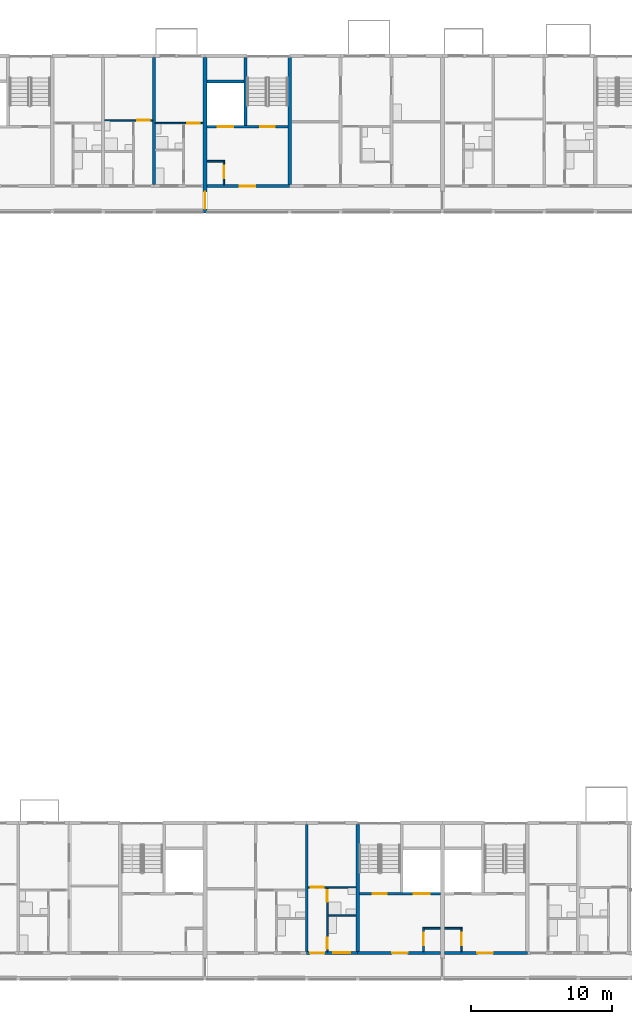
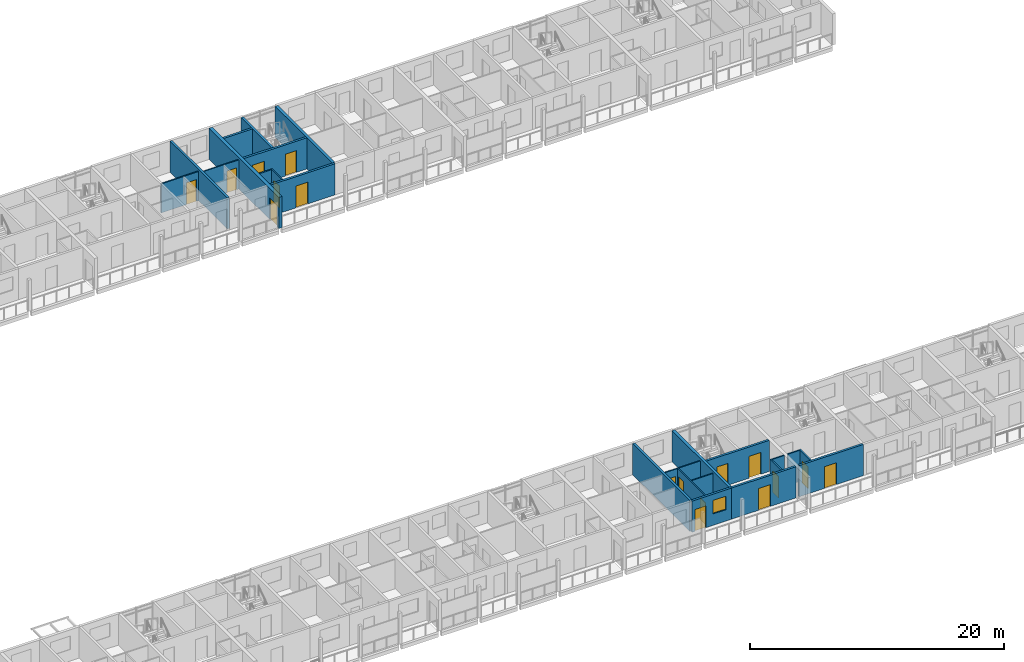
# One storey, part 52 of 93: 24 walls, 17 doors, 1 window, 18 openings.
"""IFC4 building model written with IfcOpenShell, lengths in metres."""

from ifc_helpers import new_model, si_unit, direction, frame, frame_2d, origin, place, context, subcontext, project, spatial, rectangle, extrude, material, layer, layer_set, type_object, element, fill, save


model = new_model("IFC4")

# Units and contexts
model_context = context("Model", 3, precision=1e-05, world=origin(), true_north=direction((0.0, 1.0)))
body_context = subcontext(model_context, "Body", "Model", "MODEL_VIEW")
ifc_project = project(units=[si_unit("LENGTHUNIT", "METRE"), si_unit("AREAUNIT", "SQUARE_METRE"), si_unit("VOLUMEUNIT", "CUBIC_METRE"), si_unit("PLANEANGLEUNIT", "RADIAN"), si_unit("MASSUNIT", "GRAM", prefix="KILO")], contexts=[model_context])

# Site, building, storey
site_placement = place(None, origin())
site = spatial("IfcSite", under=ifc_project, at=site_placement, CompositionType="ELEMENT")
building_placement = place(site_placement, origin())
building = spatial("IfcBuilding", under=site, at=building_placement, Name="Ridgestep Commons", CompositionType="ELEMENT")
storey_placement = place(building_placement, frame((0.0, 0.0, 18.0)))
storey = spatial("IfcBuildingStorey", under=building, at=storey_placement, Name="L06", CompositionType="ELEMENT", Elevation=18.0)

# Walls
ifc_material_1 = material(Name="Concrete C30/37", Category="concrete")
ifc_layer_1 = layer(ifc_material_1, 0.25)
ifc_layer_set_1 = layer_set([ifc_layer_1], Name="Core cross wall 250")
wall_type_1 = type_object("IfcWallType", Name="Core cross wall 250", PredefinedType="SHEAR", material=ifc_layer_set_1)
for number, where, z_axis, x_axis, name in (
    (1, (203.199951171875, 68.0, 0.0), (0.0, 0.0, 1.0), (0.0, 1.0, 0.0), "Cross wall C-06-2032"),
    (2, (208.0, 13.75, 0.0), (0.0, 0.0, 1.0), (0.0, 1.0, 0.0), "Cross wall D-06-2080"),
):
    element("IfcWall", number, at=place(storey_placement, frame(where, z_axis=z_axis, x_axis=x_axis)), inside=storey, type_object=wall_type_1, Name=name, PredefinedType="SHEAR", context=body_context, shape_type="SweptSolid", body=[
        extrude(rectangle(XDim=9.0, YDim=0.25, at=frame_2d((4.5, 0.0))), origin(), (0.0, 0.0, 1.0), 3.0),
    ])

# Wall, opening, door
ifc_material_2 = material(Name="Concrete C30/37", Category="concrete")
ifc_layer_2 = layer(ifc_material_2, 0.199951171875)
ifc_layer_set_2 = layer_set([ifc_layer_2], Name="Core south wall 200")
wall_type_2 = type_object("IfcWallType", Name="Core south wall 200", PredefinedType="SHEAR", material=ifc_layer_set_2)
wall_1_placement = place(storey_placement, frame((197.35009765625, 67.89990234375, 0.0), z_axis=(0.0, 0.0, 1.0), x_axis=(1.0, 0.0, 0.0)))
wall_1 = element("IfcWall", 3, at=wall_1_placement, inside=storey, type_object=wall_type_2, Name="Core south wall C4C L06", PredefinedType="SHEAR", context=body_context, shape_type="SweptSolid", body=[
    extrude(rectangle(XDim=5.849853515625, YDim=0.199951171875, at=frame_2d((2.9248046875, 0.0))), origin(), (0.0, 0.0, 1.0), 3.0),
])
opening_1_placement = place(wall_1_placement, frame((2.3125, 0.0, 0.0)))
opening_1 = element("IfcOpeningElement", 4, at=opening_1_placement, cuts=wall_1, Name="Opening C4C/06/1", PredefinedType="OPENING", context=body_context, shape_type="SweptSolid", body=[
    extrude(rectangle(XDim=1.10009765625, YDim=2.10009765625, at=frame_2d((0.550048828125, 1.050048828125))), frame((0.0, 0.10986328125, 0.0), z_axis=(0.0, -1.0, 0.0), x_axis=(1.0, 0.0, 0.0)), (0.0, 0.0, 1.0), 0.219970703125),
])
ifc_material_3 = material(Name="Steel fire door", Category="steel")
door_type_1 = type_object("IfcDoorType", Name="Lobby door 1100 x 2100 FD60", OperationType="NOTDEFINED", PredefinedType="DOOR", material=ifc_material_3)
door_1_placement = place(opening_1_placement, origin())
door_1 = element("IfcDoor", 5, at=door_1_placement, inside=storey, type_object=door_type_1, Name="Lobby door C4C/06/1", OperationType="SINGLE_SWING_LEFT", OverallHeight=2.10009765625, OverallWidth=1.10009765625, PredefinedType="DOOR", context=body_context, shape_type="SweptSolid", body=[
    extrude(rectangle(XDim=1.10009765625, YDim=2.10009765625, at=frame_2d((0.550048828125, 1.050048828125))), frame((0.0, 0.02490234375, 0.0), z_axis=(0.0, -1.0, 0.0), x_axis=(1.0, 0.0, 0.0)), (0.0, 0.0, 1.0), 0.050048828125),
])
fill(opening_1, door_1)

wall_2_placement = place(storey_placement, frame((208.0, 13.64990234375, 0.0), z_axis=(0.0, 0.0, 1.0), x_axis=(1.0, 0.0, 0.0)))
wall_2 = element("IfcWall", 6, at=wall_2_placement, inside=storey, type_object=wall_type_2, Name="Core south wall D4C L06", PredefinedType="SHEAR", context=body_context, shape_type="SweptSolid", body=[
    extrude(rectangle(XDim=5.85009765625, YDim=0.199951171875, at=frame_2d((2.925048828125, 0.0))), origin(), (0.0, 0.0, 1.0), 3.0),
])
opening_2_placement = place(wall_2_placement, frame((2.4375, 0.0, 0.0)))
opening_2 = element("IfcOpeningElement", 7, at=opening_2_placement, cuts=wall_2, Name="Opening D4C/06/1", PredefinedType="OPENING", context=body_context, shape_type="SweptSolid", body=[
    extrude(rectangle(XDim=1.10009765625, YDim=2.10009765625, at=frame_2d((0.550048828125, 1.050048828125))), frame((0.0, 0.10986328125, 0.0), z_axis=(0.0, -1.0, 0.0), x_axis=(1.0, 0.0, 0.0)), (0.0, 0.0, 1.0), 0.219970703125),
])
door_2_placement = place(opening_2_placement, origin())
door_2 = element("IfcDoor", 8, at=door_2_placement, inside=storey, type_object=door_type_1, Name="Lobby door D4C/06/1", OperationType="SINGLE_SWING_LEFT", OverallHeight=2.10009765625, OverallWidth=1.10009765625, PredefinedType="DOOR", context=body_context, shape_type="SweptSolid", body=[
    extrude(rectangle(XDim=1.10009765625, YDim=2.10009765625, at=frame_2d((0.550048828125, 1.050048828125))), frame((0.0, 0.02490234375, 0.0), z_axis=(0.0, -1.0, 0.0), x_axis=(1.0, 0.0, 0.0)), (0.0, 0.0, 1.0), 0.050048828125),
])
fill(opening_2, door_2)

wall_3_placement = place(storey_placement, frame((214.14990234375, 13.64990234375, 0.0), z_axis=(0.0, 0.0, 1.0), x_axis=(1.0, 0.0, 0.0)))
wall_3 = element("IfcWall", 9, at=wall_3_placement, inside=storey, type_object=wall_type_2, Name="Core south wall D5C L06", PredefinedType="SHEAR", context=body_context, shape_type="SweptSolid", body=[
    extrude(rectangle(XDim=5.85009765625, YDim=0.199951171875, at=frame_2d((2.925048828125, 0.0))), origin(), (0.0, 0.0, 1.0), 3.0),
])
opening_3_placement = place(wall_3_placement, frame((2.3125, 0.0, 0.0)))
opening_3 = element("IfcOpeningElement", 10, at=opening_3_placement, cuts=wall_3, Name="Opening D5C/06/1", PredefinedType="OPENING", context=body_context, shape_type="SweptSolid", body=[
    extrude(rectangle(XDim=1.10009765625, YDim=2.10009765625, at=frame_2d((0.550048828125, 1.050048828125))), frame((0.0, 0.10986328125, 0.0), z_axis=(0.0, -1.0, 0.0), x_axis=(1.0, 0.0, 0.0)), (0.0, 0.0, 1.0), 0.219970703125),
])
door_3_placement = place(opening_3_placement, origin())
door_3 = element("IfcDoor", 11, at=door_3_placement, inside=storey, type_object=door_type_1, Name="Lobby door D5C/06/1", OperationType="SINGLE_SWING_LEFT", OverallHeight=2.10009765625, OverallWidth=1.10009765625, PredefinedType="DOOR", context=body_context, shape_type="SweptSolid", body=[
    extrude(rectangle(XDim=1.10009765625, YDim=2.10009765625, at=frame_2d((0.550048828125, 1.050048828125))), frame((0.0, 0.02490234375, 0.0), z_axis=(0.0, -1.0, 0.0), x_axis=(1.0, 0.0, 0.0)), (0.0, 0.0, 1.0), 0.050048828125),
])
fill(opening_3, door_3)

ifc_material_4 = material(Name="Concrete C30/37", Category="concrete")
ifc_layer_3 = layer(ifc_material_4, 0.1201171875)
ifc_layer_set_3 = layer_set([ifc_layer_3], Name="Core wall 120")
wall_type_3 = type_object("IfcWallType", Name="Core wall 120", PredefinedType="SHEAR", material=ifc_layer_set_3)
wall_4_placement = place(storey_placement, frame((198.5400390625, 68.0, 0.0), z_axis=(0.0, 0.0, 1.0), x_axis=(0.0, 1.0, 0.0)))
wall_4 = element("IfcWall", 12, at=wall_4_placement, inside=storey, type_object=wall_type_3, Name="Core riser w wall C4C L06", PredefinedType="SHEAR", context=body_context, shape_type="SweptSolid", body=[
    extrude(rectangle(XDim=1.719970703125, YDim=0.1201171875, at=frame_2d((0.85986328125, 0.0))), origin(), (0.0, 0.0, 1.0), 3.0),
])
opening_4_placement = place(wall_4_placement, frame((0.449951171875, 0.0, 0.0)))
opening_4 = element("IfcOpeningElement", 13, at=opening_4_placement, cuts=wall_4, Name="Opening C4C/06/4", PredefinedType="OPENING", context=body_context, shape_type="SweptSolid", body=[
    extrude(rectangle(XDim=0.89990234375, YDim=2.10009765625, at=frame_2d((0.449951171875, 1.050048828125))), frame((0.0, 0.070068359375, 0.0), z_axis=(0.0, -1.0, 0.0), x_axis=(1.0, 0.0, 0.0)), (0.0, 0.0, 1.0), 0.14013671875),
])
ifc_material_5 = material(Name="Steel fire door", Category="steel")
door_type_2 = type_object("IfcDoorType", Name="Riser door 900 x 2100 FD60", OperationType="NOTDEFINED", PredefinedType="DOOR", material=ifc_material_5)
door_4_placement = place(opening_4_placement, origin())
door_4 = element("IfcDoor", 14, at=door_4_placement, inside=storey, type_object=door_type_2, Name="Riser door C4C/06/4", OperationType="SINGLE_SWING_RIGHT", OverallHeight=2.10009765625, OverallWidth=0.89990234375, PredefinedType="DOOR", context=body_context, shape_type="SweptSolid", body=[
    extrude(rectangle(XDim=0.89990234375, YDim=2.10009765625, at=frame_2d((0.449951171875, 1.050048828125))), frame((0.0, 0.02490234375, 0.0), z_axis=(0.0, -1.0, 0.0), x_axis=(1.0, 0.0, 0.0)), (0.0, 0.0, 1.0), 0.050048828125),
])
fill(opening_4, door_4)

# Wall
wall_5_placement = place(storey_placement, frame((197.35009765625, 69.659912109375, 0.0), z_axis=(0.0, 0.0, 1.0), x_axis=(1.0, 0.0, 0.0)))
element("IfcWall", 15, at=wall_5_placement, inside=storey, type_object=wall_type_3, Name="Core riser n wall C4C L06", PredefinedType="SHEAR", context=body_context, shape_type="SweptSolid", body=[
    extrude(rectangle(XDim=1.1298828125, YDim=0.1201171875, at=frame_2d((0.56494140625, 0.0))), origin(), (0.0, 0.0, 1.0), 3.0),
])

# Wall, opening, door
wall_6_placement = place(storey_placement, frame((212.659912109375, 13.75, 0.0), z_axis=(0.0, 0.0, 1.0), x_axis=(0.0, 1.0, 0.0)))
wall_6 = element("IfcWall", 16, at=wall_6_placement, inside=storey, type_object=wall_type_3, Name="Core riser w wall D4C L06", PredefinedType="SHEAR", context=body_context, shape_type="SweptSolid", body=[
    extrude(rectangle(XDim=1.719970703125, YDim=0.1201171875, at=frame_2d((0.85986328125, 0.0))), origin(), (0.0, 0.0, 1.0), 3.0),
])
opening_5_placement = place(wall_6_placement, frame((0.449951171875, 0.0, 0.0)))
opening_5 = element("IfcOpeningElement", 17, at=opening_5_placement, cuts=wall_6, Name="Opening D4C/06/4", PredefinedType="OPENING", context=body_context, shape_type="SweptSolid", body=[
    extrude(rectangle(XDim=0.89990234375, YDim=2.10009765625, at=frame_2d((0.449951171875, 1.050048828125))), frame((0.0, 0.070068359375, 0.0), z_axis=(0.0, -1.0, 0.0), x_axis=(1.0, 0.0, 0.0)), (0.0, 0.0, 1.0), 0.14013671875),
])
door_5_placement = place(opening_5_placement, origin())
door_5 = element("IfcDoor", 18, at=door_5_placement, inside=storey, type_object=door_type_2, Name="Riser door D4C/06/4", OperationType="SINGLE_SWING_LEFT", OverallHeight=2.10009765625, OverallWidth=0.89990234375, PredefinedType="DOOR", context=body_context, shape_type="SweptSolid", body=[
    extrude(rectangle(XDim=0.89990234375, YDim=2.10009765625, at=frame_2d((0.449951171875, 1.050048828125))), frame((0.0, 0.02490234375, 0.0), z_axis=(0.0, -1.0, 0.0), x_axis=(1.0, 0.0, 0.0)), (0.0, 0.0, 1.0), 0.050048828125),
])
fill(opening_5, door_5)

# Wall
wall_7_placement = place(storey_placement, frame((212.719970703125, 15.409912109375, 0.0), z_axis=(0.0, 0.0, 1.0), x_axis=(1.0, 0.0, 0.0)))
element("IfcWall", 19, at=wall_7_placement, inside=storey, type_object=wall_type_3, Name="Core riser n wall D4C L06", PredefinedType="SHEAR", context=body_context, shape_type="SweptSolid", body=[
    extrude(rectangle(XDim=1.130126953125, YDim=0.1201171875, at=frame_2d((0.56494140625, 0.0))), origin(), (0.0, 0.0, 1.0), 3.0),
])

# Wall, opening, door
wall_8_placement = place(storey_placement, frame((215.340087890625, 13.75, 0.0), z_axis=(0.0, 0.0, 1.0), x_axis=(0.0, 1.0, 0.0)))
wall_8 = element("IfcWall", 20, at=wall_8_placement, inside=storey, type_object=wall_type_3, Name="Core riser w wall D5C L06", PredefinedType="SHEAR", context=body_context, shape_type="SweptSolid", body=[
    extrude(rectangle(XDim=1.719970703125, YDim=0.1201171875, at=frame_2d((0.85986328125, 0.0))), origin(), (0.0, 0.0, 1.0), 3.0),
])
opening_6_placement = place(wall_8_placement, frame((0.449951171875, 0.0, 0.0)))
opening_6 = element("IfcOpeningElement", 21, at=opening_6_placement, cuts=wall_8, Name="Opening D5C/06/4", PredefinedType="OPENING", context=body_context, shape_type="SweptSolid", body=[
    extrude(rectangle(XDim=0.89990234375, YDim=2.10009765625, at=frame_2d((0.449951171875, 1.050048828125))), frame((0.0, 0.070068359375, 0.0), z_axis=(0.0, -1.0, 0.0), x_axis=(1.0, 0.0, 0.0)), (0.0, 0.0, 1.0), 0.14013671875),
])
door_6_placement = place(opening_6_placement, origin())
door_6 = element("IfcDoor", 22, at=door_6_placement, inside=storey, type_object=door_type_2, Name="Riser door D5C/06/4", OperationType="SINGLE_SWING_RIGHT", OverallHeight=2.10009765625, OverallWidth=0.89990234375, PredefinedType="DOOR", context=body_context, shape_type="SweptSolid", body=[
    extrude(rectangle(XDim=0.89990234375, YDim=2.10009765625, at=frame_2d((0.449951171875, 1.050048828125))), frame((0.0, 0.02490234375, 0.0), z_axis=(0.0, -1.0, 0.0), x_axis=(1.0, 0.0, 0.0)), (0.0, 0.0, 1.0), 0.050048828125),
])
fill(opening_6, door_6)

# Wall
wall_9_placement = place(storey_placement, frame((214.14990234375, 15.409912109375, 0.0), z_axis=(0.0, 0.0, 1.0), x_axis=(1.0, 0.0, 0.0)))
element("IfcWall", 23, at=wall_9_placement, inside=storey, type_object=wall_type_3, Name="Core riser n wall D5C L06", PredefinedType="SHEAR", context=body_context, shape_type="SweptSolid", body=[
    extrude(rectangle(XDim=1.130126953125, YDim=0.1201171875, at=frame_2d((0.56494140625, 0.0))), origin(), (0.0, 0.0, 1.0), 3.0),
])

# Wall, openings, doors
ifc_material_6 = material(Name="Concrete C30/37", Category="concrete")
ifc_layer_4 = layer(ifc_material_6, 0.199951171875)
ifc_layer_set_4 = layer_set([ifc_layer_4], Name="Core wall 200")
wall_type_4 = type_object("IfcWallType", Name="Core wall 200", PredefinedType="SHEAR", material=ifc_layer_set_4)
wall_10_placement = place(storey_placement, frame((197.35009765625, 72.10009765625, 0.0), z_axis=(0.0, 0.0, 1.0), x_axis=(1.0, 0.0, 0.0)))
wall_10 = element("IfcWall", 24, at=wall_10_placement, inside=storey, type_object=wall_type_4, Name="Core lobby wall C4C L06", PredefinedType="SHEAR", context=body_context, shape_type="SweptSolid", body=[
    extrude(rectangle(XDim=5.724853515625, YDim=0.199951171875, at=frame_2d((2.8623046875, 0.0))), origin(), (0.0, 0.0, 1.0), 3.0),
])
opening_7_placement = place(wall_10_placement, frame((3.77490234375, 0.0, 0.0)))
opening_7 = element("IfcOpeningElement", 25, at=opening_7_placement, cuts=wall_10, Name="Opening C4C/06/2", PredefinedType="OPENING", context=body_context, shape_type="SweptSolid", body=[
    extrude(rectangle(XDim=1.0, YDim=2.10009765625, at=frame_2d((0.5, 1.050048828125))), frame((0.0, 0.10986328125, 0.0), z_axis=(0.0, -1.0, 0.0), x_axis=(1.0, 0.0, 0.0)), (0.0, 0.0, 1.0), 0.219970703125),
])
opening_8_placement = place(wall_10_placement, frame((0.762451171875, 0.0, 0.0)))
opening_8 = element("IfcOpeningElement", 26, at=opening_8_placement, cuts=wall_10, Name="Opening C4C/06/3", PredefinedType="OPENING", context=body_context, shape_type="SweptSolid", body=[
    extrude(rectangle(XDim=1.10009765625, YDim=2.10009765625, at=frame_2d((0.550048828125, 1.050048828125))), frame((0.0, 0.10986328125, 0.0), z_axis=(0.0, -1.0, 0.0), x_axis=(1.0, 0.0, 0.0)), (0.0, 0.0, 1.0), 0.219970703125),
])
ifc_material_7 = material(Name="Stainless steel", Category="steel")
door_type_3 = type_object("IfcDoorType", Name="Lift landing door 1100 x 2100 FD60", OperationType="DOUBLE_DOOR_SLIDING", PredefinedType="DOOR", material=ifc_material_7)
door_7_placement = place(opening_8_placement, origin())
door_7 = element("IfcDoor", 27, at=door_7_placement, inside=storey, type_object=door_type_3, Name="Landing door LD C4C L06", OperationType="DOUBLE_DOOR_SLIDING", OverallHeight=2.10009765625, OverallWidth=1.10009765625, PredefinedType="DOOR", context=body_context, shape_type="SweptSolid", body=[
    extrude(rectangle(XDim=1.10009765625, YDim=2.10009765625, at=frame_2d((0.550048828125, 1.050048828125))), frame((0.0, 0.02490234375, 0.0), z_axis=(0.0, -1.0, 0.0), x_axis=(1.0, 0.0, 0.0)), (0.0, 0.0, 1.0), 0.050048828125),
])
fill(opening_8, door_7)
ifc_material_8 = material(Name="Steel fire door", Category="steel")
door_type_4 = type_object("IfcDoorType", Name="Stair door 1000 x 2100 FD60", OperationType="NOTDEFINED", PredefinedType="DOOR", material=ifc_material_8)
door_8_placement = place(opening_7_placement, origin())
door_8 = element("IfcDoor", 28, at=door_8_placement, inside=storey, type_object=door_type_4, Name="Stair door C4C/06/2", OperationType="SINGLE_SWING_RIGHT", OverallHeight=2.10009765625, OverallWidth=1.0, PredefinedType="DOOR", context=body_context, shape_type="SweptSolid", body=[
    extrude(rectangle(XDim=1.0, YDim=2.10009765625, at=frame_2d((0.5, 1.050048828125))), frame((0.0, 0.02490234375, 0.0), z_axis=(0.0, -1.0, 0.0), x_axis=(1.0, 0.0, 0.0)), (0.0, 0.0, 1.0), 0.050048828125),
])
fill(opening_7, door_8)

# Walls
wall_11_placement = place(storey_placement, frame((200.074951171875, 72.199951171875, 0.0), z_axis=(0.0, 0.0, 1.0), x_axis=(0.0, 1.0, 0.0)))
element("IfcWall", 29, at=wall_11_placement, inside=storey, type_object=wall_type_4, Name="Core stair wall C4C L06", PredefinedType="SHEAR", context=body_context, shape_type="SweptSolid", body=[
    extrude(rectangle(XDim=4.800048828125, YDim=0.199951171875, at=frame_2d((2.39990234375, 0.0))), origin(), (0.0, 0.0, 1.0), 3.0),
])
wall_12_placement = place(storey_placement, frame((197.35009765625, 75.300048828125, 0.0), z_axis=(0.0, 0.0, 1.0), x_axis=(1.0, 0.0, 0.0)))
element("IfcWall", 30, at=wall_12_placement, inside=storey, type_object=wall_type_4, Name="Core duct wall C4C L06", PredefinedType="SHEAR", context=body_context, shape_type="SweptSolid", body=[
    extrude(rectangle(XDim=2.625, YDim=0.199951171875, at=frame_2d((1.3125, 0.0))), origin(), (0.0, 0.0, 1.0), 3.0),
])

# Wall, openings, doors
wall_13_placement = place(storey_placement, frame((208.125, 17.85009765625, 0.0), z_axis=(0.0, 0.0, 1.0), x_axis=(1.0, 0.0, 0.0)))
wall_13 = element("IfcWall", 31, at=wall_13_placement, inside=storey, type_object=wall_type_4, Name="Core lobby wall D4C L06", PredefinedType="SHEAR", context=body_context, shape_type="SweptSolid", body=[
    extrude(rectangle(XDim=5.72509765625, YDim=0.199951171875, at=frame_2d((2.862548828125, 0.0))), origin(), (0.0, 0.0, 1.0), 3.0),
])
opening_9_placement = place(wall_13_placement, frame((0.949951171875, 0.0, 0.0)))
opening_9 = element("IfcOpeningElement", 32, at=opening_9_placement, cuts=wall_13, Name="Opening D4C/06/2", PredefinedType="OPENING", context=body_context, shape_type="SweptSolid", body=[
    extrude(rectangle(XDim=1.0, YDim=2.10009765625, at=frame_2d((0.5, 1.050048828125))), frame((0.0, 0.10986328125, 0.0), z_axis=(0.0, -1.0, 0.0), x_axis=(1.0, 0.0, 0.0)), (0.0, 0.0, 1.0), 0.219970703125),
])
opening_10_placement = place(wall_13_placement, frame((3.862548828125, 0.0, 0.0)))
opening_10 = element("IfcOpeningElement", 33, at=opening_10_placement, cuts=wall_13, Name="Opening D4C/06/3", PredefinedType="OPENING", context=body_context, shape_type="SweptSolid", body=[
    extrude(rectangle(XDim=1.10009765625, YDim=2.10009765625, at=frame_2d((0.550048828125, 1.050048828125))), frame((0.0, 0.10986328125, 0.0), z_axis=(0.0, -1.0, 0.0), x_axis=(1.0, 0.0, 0.0)), (0.0, 0.0, 1.0), 0.219970703125),
])
door_9_placement = place(opening_10_placement, origin())
door_9 = element("IfcDoor", 34, at=door_9_placement, inside=storey, type_object=door_type_3, Name="Landing door LD D4C L06", OperationType="DOUBLE_DOOR_SLIDING", OverallHeight=2.10009765625, OverallWidth=1.10009765625, PredefinedType="DOOR", context=body_context, shape_type="SweptSolid", body=[
    extrude(rectangle(XDim=1.10009765625, YDim=2.10009765625, at=frame_2d((0.550048828125, 1.050048828125))), frame((0.0, 0.02490234375, 0.0), z_axis=(0.0, -1.0, 0.0), x_axis=(1.0, 0.0, 0.0)), (0.0, 0.0, 1.0), 0.050048828125),
])
fill(opening_10, door_9)
door_10_placement = place(opening_9_placement, origin())
door_10 = element("IfcDoor", 35, at=door_10_placement, inside=storey, type_object=door_type_4, Name="Stair door D4C/06/2", OperationType="SINGLE_SWING_RIGHT", OverallHeight=2.10009765625, OverallWidth=1.0, PredefinedType="DOOR", context=body_context, shape_type="SweptSolid", body=[
    extrude(rectangle(XDim=1.0, YDim=2.10009765625, at=frame_2d((0.5, 1.050048828125))), frame((0.0, 0.02490234375, 0.0), z_axis=(0.0, -1.0, 0.0), x_axis=(1.0, 0.0, 0.0)), (0.0, 0.0, 1.0), 0.050048828125),
])
fill(opening_9, door_10)

# Walls
ifc_material_9 = material(Name="Precast concrete C40/50", Category="concrete")
ifc_layer_5 = layer(ifc_material_9, 0.199951171875)
ifc_layer_set_5 = layer_set([ifc_layer_5], Name="Cross wall 200")
wall_type_5 = type_object("IfcWallType", Name="Cross wall 200", PredefinedType="SHEAR", material=ifc_layer_set_5)
for number, where, z_axis, x_axis, name in (
    (36, (193.60009765625, 68.0, 0.0), (0.0, 0.0, 1.0), (0.0, 1.0, 0.0), "Cross wall C-06-1936"),
    (37, (204.39990234375, 13.75, 0.0), (0.0, 0.0, 1.0), (0.0, 1.0, 0.0), "Cross wall D-06-2044"),
):
    element("IfcWall", number, at=place(storey_placement, frame(where, z_axis=z_axis, x_axis=x_axis)), inside=storey, type_object=wall_type_5, Name=name, PredefinedType="SHEAR", context=body_context, shape_type="SweptSolid", body=[
        extrude(rectangle(XDim=9.0, YDim=0.199951171875, at=frame_2d((4.5, 0.0))), origin(), (0.0, 0.0, 1.0), 3.0),
    ])

# Wall, opening, door
ifc_material_10 = material(Name="Precast concrete C40/50", Category="concrete")
ifc_layer_6 = layer(ifc_material_10, 0.300048828125)
ifc_layer_set_6 = layer_set([ifc_layer_6], Name="Division wall 300")
wall_type_6 = type_object("IfcWallType", Name="Division wall 300", PredefinedType="SHEAR", material=ifc_layer_set_6)
wall_14_placement = place(storey_placement, frame((197.199951171875, 66.0, 0.0), z_axis=(0.0, 0.0, 1.0), x_axis=(0.0, 1.0, 0.0)))
wall_14 = element("IfcWall", 38, at=wall_14_placement, inside=storey, type_object=wall_type_6, Name="Cross wall C-06-1972", PredefinedType="SHEAR", context=body_context, shape_type="SweptSolid", body=[
    extrude(rectangle(XDim=11.0, YDim=0.300048828125, at=frame_2d((5.5, 0.0))), origin(), (0.0, 0.0, 1.0), 3.0),
])
opening_11_placement = place(wall_14_placement, frame((0.300048828125, 0.0, 0.0)))
opening_11 = element("IfcOpeningElement", 39, at=opening_11_placement, cuts=wall_14, Name="Opening C/06/G1972", PredefinedType="OPENING", context=body_context, shape_type="SweptSolid", body=[
    extrude(rectangle(XDim=1.199951171875, YDim=2.10009765625, at=frame_2d((0.60009765625, 1.050048828125))), frame((0.0, 0.159912109375, 0.0), z_axis=(0.0, -1.0, 0.0), x_axis=(1.0, 0.0, 0.0)), (0.0, 0.0, 1.0), 0.320068359375),
])
ifc_material_11 = material(Name="Steel fire door", Category="steel")
door_type_5 = type_object("IfcDoorType", Name="Division fire door 1200 x 2100 EI 240", OperationType="DOUBLE_DOOR_SINGLE_SWING", PredefinedType="DOOR", material=ifc_material_11)
door_11_placement = place(opening_11_placement, origin())
door_11 = element("IfcDoor", 40, at=door_11_placement, inside=storey, type_object=door_type_5, Name="Division fire door C/06/G1972", OperationType="DOUBLE_DOOR_SINGLE_SWING", OverallHeight=2.10009765625, OverallWidth=1.199951171875, PredefinedType="DOOR", context=body_context, shape_type="SweptSolid", body=[
    extrude(rectangle(XDim=1.199951171875, YDim=2.10009765625, at=frame_2d((0.60009765625, 1.050048828125))), frame((0.0, 0.02490234375, 0.0), z_axis=(0.0, -1.0, 0.0), x_axis=(1.0, 0.0, 0.0)), (0.0, 0.0, 1.0), 0.050048828125),
])
fill(opening_11, door_11)

ifc_material_12 = material(Name="Common brick 110 mm", Category="masonry")
ifc_layer_7 = layer(ifc_material_12, 0.110107421875)
ifc_layer_set_7 = layer_set([ifc_layer_7], Name="Partition 110")
wall_type_7 = type_object("IfcWallType", Name="Partition 110", PredefinedType="PARTITIONING", material=ifc_layer_set_7)
wall_15_placement = place(storey_placement, frame((193.699951171875, 72.35498046875, 0.0), z_axis=(0.0, 0.0, 1.0), x_axis=(1.0, 0.0, 0.0)))
wall_15 = element("IfcWall", 41, at=wall_15_placement, inside=storey, type_object=wall_type_7, Name="Partition C3-06a", PredefinedType="PARTITIONING", context=body_context, shape_type="SweptSolid", body=[
    extrude(rectangle(XDim=3.35009765625, YDim=0.110107421875, at=frame_2d((1.675048828125, 0.0))), origin(), (0.0, 0.0, 1.0), 2.800048828125),
])
opening_12_placement = place(wall_15_placement, frame((2.25, 0.0, 0.0)))
opening_12 = element("IfcOpeningElement", 42, at=opening_12_placement, cuts=wall_15, Name="Opening C3-06a/4", PredefinedType="OPENING", context=body_context, shape_type="SweptSolid", body=[
    extrude(rectangle(XDim=0.89990234375, YDim=2.10009765625, at=frame_2d((0.449951171875, 1.050048828125))), frame((0.0, 0.06494140625, 0.0), z_axis=(0.0, -1.0, 0.0), x_axis=(1.0, 0.0, 0.0)), (0.0, 0.0, 1.0), 0.130126953125),
])
ifc_material_13 = material(Name="Timber door leaf", Category="wood")
door_type_6 = type_object("IfcDoorType", Name="Internal door 900 x 2100", OperationType="NOTDEFINED", PredefinedType="DOOR", material=ifc_material_13)
door_12_placement = place(opening_12_placement, origin())
door_12 = element("IfcDoor", 43, at=door_12_placement, inside=storey, type_object=door_type_6, Name="Internal door C3-06a/4", OperationType="SINGLE_SWING_LEFT", OverallHeight=2.10009765625, OverallWidth=0.89990234375, PredefinedType="DOOR", context=body_context, shape_type="SweptSolid", body=[
    extrude(rectangle(XDim=0.89990234375, YDim=2.10009765625, at=frame_2d((0.449951171875, 1.050048828125))), frame((0.0, 0.02490234375, 0.0), z_axis=(0.0, -1.0, 0.0), x_axis=(1.0, 0.0, 0.0)), (0.0, 0.0, 1.0), 0.050048828125),
])
fill(opening_12, door_12)

wall_16_placement = place(storey_placement, frame((190.10009765625, 72.554931640625, 0.0), z_axis=(0.0, 0.0, 1.0), x_axis=(1.0, 0.0, 0.0)))
wall_16 = element("IfcWall", 44, at=wall_16_placement, inside=storey, type_object=wall_type_7, Name="Partition C3-06b", PredefinedType="PARTITIONING", context=body_context, shape_type="SweptSolid", body=[
    extrude(rectangle(XDim=3.39990234375, YDim=0.110107421875, at=frame_2d((1.699951171875, 0.0))), origin(), (0.0, 0.0, 1.0), 2.800048828125),
])
opening_13_placement = place(wall_16_placement, frame((2.300048828125, 0.0, 0.0)))
opening_13 = element("IfcOpeningElement", 45, at=opening_13_placement, cuts=wall_16, Name="Opening C3-06b/4", PredefinedType="OPENING", context=body_context, shape_type="SweptSolid", body=[
    extrude(rectangle(XDim=0.89990234375, YDim=2.10009765625, at=frame_2d((0.449951171875, 1.050048828125))), frame((0.0, 0.06494140625, 0.0), z_axis=(0.0, -1.0, 0.0), x_axis=(1.0, 0.0, 0.0)), (0.0, 0.0, 1.0), 0.130126953125),
])
door_13_placement = place(opening_13_placement, origin())
door_13 = element("IfcDoor", 46, at=door_13_placement, inside=storey, type_object=door_type_6, Name="Internal door C3-06b/4", OperationType="SINGLE_SWING_LEFT", OverallHeight=2.10009765625, OverallWidth=0.89990234375, PredefinedType="DOOR", context=body_context, shape_type="SweptSolid", body=[
    extrude(rectangle(XDim=0.89990234375, YDim=2.10009765625, at=frame_2d((0.449951171875, 1.050048828125))), frame((0.0, 0.02490234375, 0.0), z_axis=(0.0, -1.0, 0.0), x_axis=(1.0, 0.0, 0.0)), (0.0, 0.0, 1.0), 0.050048828125),
])
fill(opening_13, door_13)

# Wall, openings, doors
wall_17_placement = place(storey_placement, frame((205.85498046875, 13.75, 0.0), z_axis=(0.0, 0.0, 1.0), x_axis=(0.0, 1.0, 0.0)))
wall_17 = element("IfcWall", 47, at=wall_17_placement, inside=storey, type_object=wall_type_7, Name="Partition D4-06b", PredefinedType="PARTITIONING", context=body_context, shape_type="SweptSolid", body=[
    extrude(rectangle(XDim=4.5, YDim=0.110107421875, at=frame_2d((2.25, 0.0))), origin(), (0.0, 0.0, 1.0), 2.800048828125),
])
opening_14_placement = place(wall_17_placement, frame((0.199951171875, 0.0, 0.0)))
opening_14 = element("IfcOpeningElement", 48, at=opening_14_placement, cuts=wall_17, Name="Opening D4-06b/2", PredefinedType="OPENING", context=body_context, shape_type="SweptSolid", body=[
    extrude(rectangle(XDim=0.800048828125, YDim=2.10009765625, at=frame_2d((0.39990234375, 1.050048828125))), frame((0.0, 0.06494140625, 0.0), z_axis=(0.0, -1.0, 0.0), x_axis=(1.0, 0.0, 0.0)), (0.0, 0.0, 1.0), 0.130126953125),
])
opening_15_placement = place(wall_17_placement, frame((3.550048828125, 0.0, 0.0)))
opening_15 = element("IfcOpeningElement", 49, at=opening_15_placement, cuts=wall_17, Name="Opening D4-06b/3", PredefinedType="OPENING", context=body_context, shape_type="SweptSolid", body=[
    extrude(rectangle(XDim=0.800048828125, YDim=2.10009765625, at=frame_2d((0.39990234375, 1.050048828125))), frame((0.0, 0.06494140625, 0.0), z_axis=(0.0, -1.0, 0.0), x_axis=(1.0, 0.0, 0.0)), (0.0, 0.0, 1.0), 0.130126953125),
])
ifc_material_14 = material(Name="Timber door leaf", Category="wood")
door_type_7 = type_object("IfcDoorType", Name="Internal door 800 x 2100", OperationType="NOTDEFINED", PredefinedType="DOOR", material=ifc_material_14)
door_14_placement = place(opening_14_placement, origin())
door_14 = element("IfcDoor", 50, at=door_14_placement, inside=storey, type_object=door_type_7, Name="Internal door D4-06b/2", OperationType="SINGLE_SWING_RIGHT", OverallHeight=2.10009765625, OverallWidth=0.800048828125, PredefinedType="DOOR", context=body_context, shape_type="SweptSolid", body=[
    extrude(rectangle(XDim=0.800048828125, YDim=2.10009765625, at=frame_2d((0.39990234375, 1.050048828125))), frame((0.0, 0.02490234375, 0.0), z_axis=(0.0, -1.0, 0.0), x_axis=(1.0, 0.0, 0.0)), (0.0, 0.0, 1.0), 0.050048828125),
])
fill(opening_14, door_14)
door_15_placement = place(opening_15_placement, origin())
door_15 = element("IfcDoor", 51, at=door_15_placement, inside=storey, type_object=door_type_7, Name="Internal door D4-06b/3", OperationType="SINGLE_SWING_LEFT", OverallHeight=2.10009765625, OverallWidth=0.800048828125, PredefinedType="DOOR", context=body_context, shape_type="SweptSolid", body=[
    extrude(rectangle(XDim=0.800048828125, YDim=2.10009765625, at=frame_2d((0.39990234375, 1.050048828125))), frame((0.0, 0.02490234375, 0.0), z_axis=(0.0, -1.0, 0.0), x_axis=(1.0, 0.0, 0.0)), (0.0, 0.0, 1.0), 0.050048828125),
])
fill(opening_15, door_15)

# Wall
wall_18_placement = place(storey_placement, frame((205.909912109375, 16.304931640625, 0.0), z_axis=(0.0, 0.0, 1.0), x_axis=(1.0, 0.0, 0.0)))
element("IfcWall", 52, at=wall_18_placement, inside=storey, type_object=wall_type_7, Name="Partition D4-06b", PredefinedType="PARTITIONING", context=body_context, shape_type="SweptSolid", body=[
    extrude(rectangle(XDim=1.965087890625, YDim=0.110107421875, at=frame_2d((0.982421875, 0.0))), origin(), (0.0, 0.0, 1.0), 2.800048828125),
])

# Wall, opening, door
wall_19_placement = place(storey_placement, frame((204.5, 18.304931640625, 0.0), z_axis=(0.0, 0.0, 1.0), x_axis=(1.0, 0.0, 0.0)))
wall_19 = element("IfcWall", 53, at=wall_19_placement, inside=storey, type_object=wall_type_7, Name="Partition D4-06b", PredefinedType="PARTITIONING", context=body_context, shape_type="SweptSolid", body=[
    extrude(rectangle(XDim=3.375, YDim=0.110107421875, at=frame_2d((1.6875, 0.0))), origin(), (0.0, 0.0, 1.0), 2.800048828125),
])
opening_16_placement = place(wall_19_placement, frame((0.199951171875, 0.0, 0.0)))
opening_16 = element("IfcOpeningElement", 54, at=opening_16_placement, cuts=wall_19, Name="Opening D4-06b/4", PredefinedType="OPENING", context=body_context, shape_type="SweptSolid", body=[
    extrude(rectangle(XDim=0.89990234375, YDim=2.10009765625, at=frame_2d((0.449951171875, 1.050048828125))), frame((0.0, 0.06494140625, 0.0), z_axis=(0.0, -1.0, 0.0), x_axis=(1.0, 0.0, 0.0)), (0.0, 0.0, 1.0), 0.130126953125),
])
door_16_placement = place(opening_16_placement, origin())
door_16 = element("IfcDoor", 55, at=door_16_placement, inside=storey, type_object=door_type_6, Name="Internal door D4-06b/4", OperationType="SINGLE_SWING_LEFT", OverallHeight=2.10009765625, OverallWidth=0.89990234375, PredefinedType="DOOR", context=body_context, shape_type="SweptSolid", body=[
    extrude(rectangle(XDim=0.89990234375, YDim=2.10009765625, at=frame_2d((0.449951171875, 1.050048828125))), frame((0.0, 0.02490234375, 0.0), z_axis=(0.0, -1.0, 0.0), x_axis=(1.0, 0.0, 0.0)), (0.0, 0.0, 1.0), 0.050048828125),
])
fill(opening_16, door_16)

# Wall, openings, door, window
ifc_material_15 = material(Name="Precast concrete C40/50", Category="concrete")
ifc_layer_8 = layer(ifc_material_15, 0.199951171875)
ifc_layer_set_8 = layer_set([ifc_layer_8], Name="South facade panel 200")
wall_type_8 = type_object("IfcWallType", Name="South facade panel 200", PredefinedType="SOLIDWALL", material=ifc_layer_set_8)
wall_20_placement = place(storey_placement, frame((204.39990234375, 13.64990234375, 0.0), z_axis=(0.0, 0.0, 1.0), x_axis=(1.0, 0.0, 0.0)))
wall_20 = element("IfcWall", 56, at=wall_20_placement, inside=storey, type_object=wall_type_8, Name="South panel D4T3 L06", PredefinedType="SOLIDWALL", context=body_context, shape_type="SweptSolid", body=[
    extrude(rectangle(XDim=3.60009765625, YDim=0.199951171875, at=frame_2d((1.800048828125, 0.0))), origin(), (0.0, 0.0, 1.0), 3.0),
])
opening_17_placement = place(wall_20_placement, frame((1.892578125, 0.0, 1.10009765625)))
opening_17 = element("IfcOpeningElement", 57, at=opening_17_placement, cuts=wall_20, Name="Opening W08", PredefinedType="OPENING", context=body_context, shape_type="SweptSolid", body=[
    extrude(rectangle(XDim=1.199951171875, YDim=1.300048828125, at=frame_2d((0.60009765625, 0.64990234375))), frame((0.0, 0.10986328125, 0.0), z_axis=(0.0, -1.0, 0.0), x_axis=(1.0, 0.0, 0.0)), (0.0, 0.0, 1.0), 0.219970703125),
])
opening_18_placement = place(wall_20_placement, frame((0.25, 0.0, 0.0)))
opening_18 = element("IfcOpeningElement", 58, at=opening_18_placement, cuts=wall_20, Name="Opening D4-06b/1", PredefinedType="OPENING", context=body_context, shape_type="SweptSolid", body=[
    extrude(rectangle(XDim=1.0, YDim=2.10009765625, at=frame_2d((0.5, 1.050048828125))), frame((0.0, 0.10986328125, 0.0), z_axis=(0.0, -1.0, 0.0), x_axis=(1.0, 0.0, 0.0)), (0.0, 0.0, 1.0), 0.219970703125),
])
ifc_material_16 = material(Name="Timber door leaf", Category="wood")
door_type_8 = type_object("IfcDoorType", Name="Flat entrance door 1000 x 2100 FD30S", OperationType="NOTDEFINED", PredefinedType="DOOR", material=ifc_material_16)
door_17_placement = place(opening_18_placement, origin())
door_17 = element("IfcDoor", 59, at=door_17_placement, inside=storey, type_object=door_type_8, Name="Flat entrance door D4-06b/1", OperationType="SINGLE_SWING_LEFT", OverallHeight=2.10009765625, OverallWidth=1.0, PredefinedType="DOOR", context=body_context, shape_type="SweptSolid", body=[
    extrude(rectangle(XDim=1.0, YDim=2.10009765625, at=frame_2d((0.5, 1.050048828125))), frame((0.0, 0.02490234375, 0.0), z_axis=(0.0, -1.0, 0.0), x_axis=(1.0, 0.0, 0.0)), (0.0, 0.0, 1.0), 0.050048828125),
])
fill(opening_18, door_17)
ifc_material_17 = material(Name="Aluminium 6063-T6 and glass", Category="aluminium")
window_type = type_object("IfcWindowType", Name="Flat window 1200 x 1300", PartitioningType="SINGLE_PANEL", PredefinedType="WINDOW", material=ifc_material_17)
window_placement = place(opening_17_placement, origin())
window = element("IfcWindow", 60, at=window_placement, inside=storey, type_object=window_type, Name="Window D4-06b 1", OverallHeight=1.300048828125, OverallWidth=1.199951171875, PartitioningType="SINGLE_PANEL", PredefinedType="WINDOW", context=body_context, shape_type="SweptSolid", body=[
    extrude(rectangle(XDim=1.199951171875, YDim=1.300048828125, at=frame_2d((0.60009765625, 0.64990234375))), frame((0.0, 0.06005859375, 0.0), z_axis=(0.0, -1.0, 0.0), x_axis=(1.0, 0.0, 0.0)), (0.0, 0.0, 1.0), 0.06005859375),
])
fill(opening_17, window)

save(model, "model.ifc")
